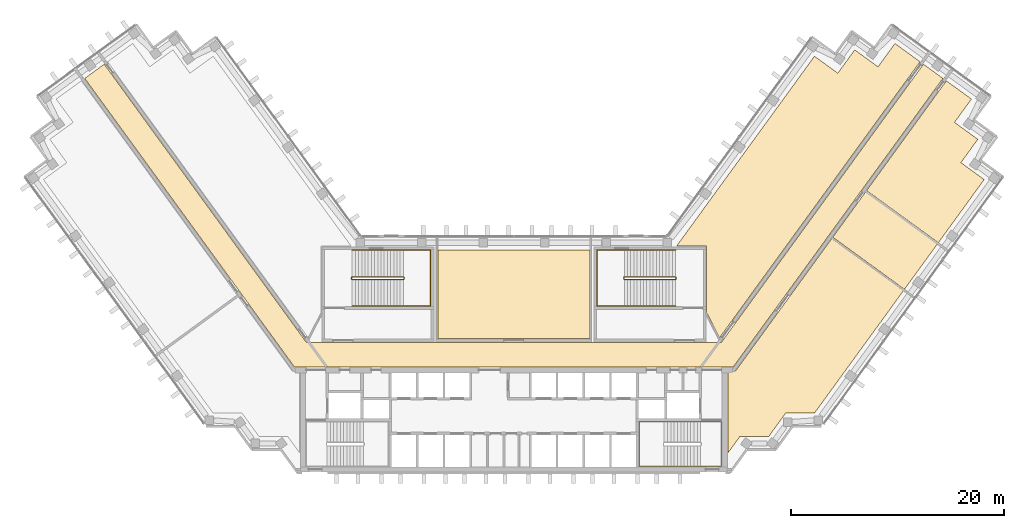
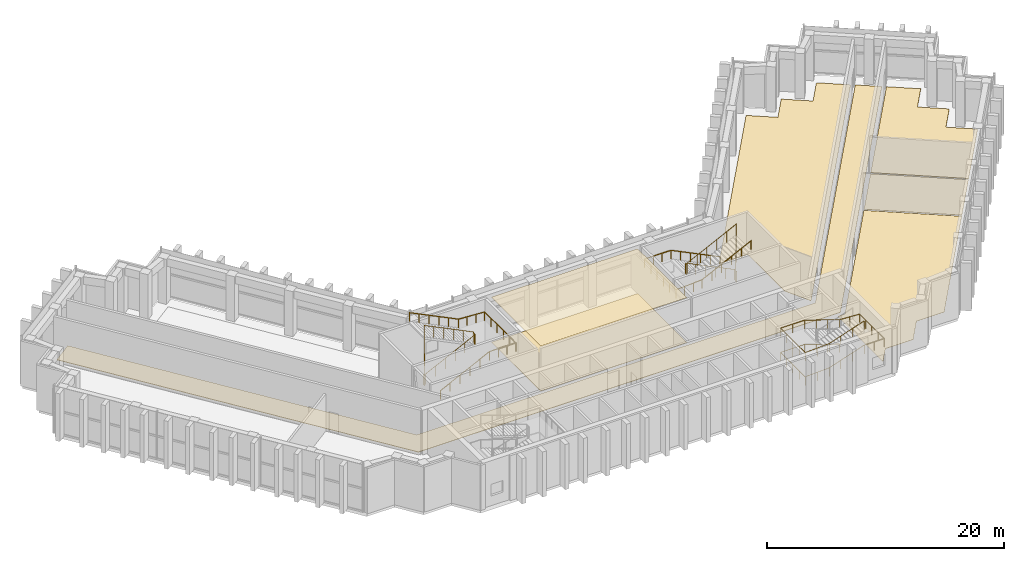
# One storey, part 14 of 14: 7 coverings, 5 railings.
"""IFC4 building model written with IfcOpenShell, lengths in metres."""

from ifc_helpers import new_model, si_unit, direction, frame, origin, origin_2d, place, context, subcontext, project, spatial, polyline, circle, outline, extrude, material, layer, layer_set, type_object, element, save


model = new_model("IFC4")

# Units and contexts
model_context = context("Model", 3, precision=1e-05, world=origin(), true_north=direction((0.0, 1.0)))
body_context = subcontext(model_context, "Body", "Model", "MODEL_VIEW")
ifc_project = project(units=[si_unit("LENGTHUNIT", "METRE"), si_unit("AREAUNIT", "SQUARE_METRE"), si_unit("VOLUMEUNIT", "CUBIC_METRE"), si_unit("PLANEANGLEUNIT", "RADIAN"), si_unit("MASSUNIT", "GRAM", prefix="KILO")], contexts=[model_context])

# Site, building, storey
site_placement = place(None, origin())
site = spatial("IfcSite", under=ifc_project, at=site_placement, CompositionType="ELEMENT")
building_placement = place(site_placement, origin())
building = spatial("IfcBuilding", under=site, at=building_placement, Name="Quipu Civic Tower", CompositionType="ELEMENT")
storey_placement = place(building_placement, frame((0.0, 0.0, 139.0)))
storey = spatial("IfcBuildingStorey", under=building, at=storey_placement, Name="L32", CompositionType="ELEMENT", Elevation=139.0)

# Coverings
ifc_material_1 = material(Name="Carpet tile on raised access floor")
ifc_layer_1 = layer(ifc_material_1, 0.02001953125)
ifc_layer_set_1 = layer_set([ifc_layer_1], Name="Carpet tile on raised access floor")
covering_type_1 = type_object("IfcCoveringType", Name="Carpet tile floor finish 20", PredefinedType="FLOORING", material=ifc_layer_set_1)
covering_1_placement = place(storey_placement, origin())
element("IfcCovering", 1, at=covering_1_placement, inside=storey, type_object=covering_type_1, Name="Carpet tile floor finish 20", PredefinedType="FLOORING", context=body_context, shape_type="SweptSolid", body=[
    extrude(outline(polyline([(15.238037109375, 10.169921875), (28.169921875, 27.968994140625), (30.35400390625, 26.383056640625), (31.94091796875, 28.56591796875), (34.126953125, 26.97998046875), (35.712890625, 29.1640625), (38.06689453125, 27.4541015625), (19.27197265625, 1.583984375), (18.070068359375, 3.94189453125), (18.070068359375, 10.1689453125), (15.238037109375, 10.169921875)])), origin(), (0.0, 0.0, 1.0), 0.02001953125),
])
covering_2_placement = place(storey_placement, origin())
element("IfcCovering", 2, at=covering_2_placement, inside=storey, type_object=covering_type_1, Name="Carpet tile floor finish 20", PredefinedType="FLOORING", context=body_context, shape_type="SweptSolid", body=[
    extrude(outline(polyline([(20.070068359375, -9.195068359375), (20.070068359375, -1.52001953125), (20.77490234375, -1.51904296875), (29.7958984375, 10.89794921875), (36.52001953125, 6.013916015625), (28.181884765625, -5.4609375), (25.48193359375, -5.4619140625), (23.89501953125, -7.64599609375), (21.196044921875, -7.64599609375), (20.070068359375, -9.195068359375)])), origin(), (0.0, 0.0, 1.0), 0.02001953125),
])
covering_3_placement = place(storey_placement, origin())
element("IfcCovering", 3, at=covering_3_placement, inside=storey, type_object=covering_type_1, Name="Carpet tile floor finish 20", PredefinedType="FLOORING", context=body_context, shape_type="SweptSolid", body=[
    extrude(outline(polyline([(-7.1279296875, 1.52001953125), (-7.1279296875, 9.830078125), (7.1279296875, 9.830078125), (7.1279296875, 1.52001953125), (-7.1279296875, 1.52001953125)])), origin(), (0.0, 0.0, 1.0), 0.02001953125),
])
ifc_material_2 = material(Name="Ceramic floor tile")
ifc_layer_2 = layer(ifc_material_2, 0.030029296875)
ifc_layer_set_2 = layer_set([ifc_layer_2], Name="Ceramic floor tile")
covering_type_2 = type_object("IfcCoveringType", Name="Ceramic tile floor finish 30", PredefinedType="FLOORING", material=ifc_layer_set_2)
covering_4_placement = place(storey_placement, origin())
element("IfcCovering", 4, at=covering_4_placement, inside=storey, type_object=covering_type_2, Name="Ceramic tile floor finish 30", PredefinedType="FLOORING", context=body_context, shape_type="SweptSolid", body=[
    extrude(outline(polyline([(29.87890625, 11.010986328125), (32.969970703125, 15.26708984375), (39.694091796875, 10.383056640625), (36.60302734375, 6.126953125), (29.87890625, 11.010986328125)])), origin(), (0.0, 0.0, 1.0), 0.030029296875),
])
ifc_material_3 = material(Name="Gypsum plasterboard ceiling")
ifc_layer_3 = layer(ifc_material_3, 0.014892578125)
ifc_layer_set_3 = layer_set([ifc_layer_3], Name="Gypsum plasterboard ceiling")
covering_type_3 = type_object("IfcCoveringType", Name="Plasterboard ceiling 15", PredefinedType="CEILING", material=ifc_layer_set_3)
covering_5_placement = place(storey_placement, frame((0.0, 0.0, 4.635009765625)))
element("IfcCovering", 5, at=covering_5_placement, inside=storey, type_object=covering_type_3, Name="Plasterboard ceiling 15", PredefinedType="CEILING", context=body_context, shape_type="SweptSolid", body=[
    extrude(outline(polyline([(-7.1279296875, 1.52001953125), (-7.1279296875, 9.830078125), (7.1279296875, 9.830078125), (7.1279296875, 1.52001953125), (-7.1279296875, 1.52001953125)])), origin(), (0.0, 0.0, 1.0), 0.014892578125),
])
ifc_material_4 = material(Name="Sealed cement screed")
ifc_layer_4 = layer(ifc_material_4, 0.050048828125)
ifc_layer_set_4 = layer_set([ifc_layer_4], Name="Sealed cement screed")
covering_type_4 = type_object("IfcCoveringType", Name="Sealed screed floor finish 50", PredefinedType="FLOORING", material=ifc_layer_set_4)
covering_6_placement = place(storey_placement, origin())
element("IfcCovering", 6, at=covering_6_placement, inside=storey, type_object=covering_type_4, Name="Sealed screed floor finish 50", PredefinedType="FLOORING", context=body_context, shape_type="SweptSolid", body=[
    extrude(outline(polyline([(33.052978515625, 15.3798828125), (40.52587890625, 25.666015625), (42.881103515625, 23.9560546875), (41.294921875, 21.77197265625), (43.47802734375, 20.18505859375), (41.89208984375, 17.9990234375), (44.074951171875, 16.4140625), (39.777099609375, 10.49609375), (33.052978515625, 15.3798828125)])), origin(), (0.0, 0.0, 1.0), 0.050048828125),
])

# Railings
ifc_material_5 = material(Name="Stainless steel", Category="steel")
railing_type_1 = type_object("IfcRailingType", Name="Stair guard 1100", PredefinedType="GUARDRAIL", material=ifc_material_5)
railing_1_placement = place(storey_placement, frame((-15.14990234375, 7.050048828125, 0.14697265625)))
element("IfcRailing", 7, at=railing_1_placement, inside=storey, type_object=railing_type_1, Name="Stair 3 guard", PredefinedType="GUARDRAIL", context=body_context, shape_type="SweptSolid", body=[
    extrude(circle(Radius=0.02392578125, at=origin_2d()), frame((0.0, 0.0, 1.076171875), z_axis=(0.897907272774, 0.0, 0.440184653866), x_axis=(0.0, 1.0, 0.0)), (0.0, 0.0, 1.0), 5.345458984375),
    extrude(circle(Radius=0.02392578125, at=origin_2d()), frame((4.7998046875, 0.0, 3.42919921875), z_axis=(0.707106781187, 0.707106781187, 0.0), x_axis=(-0.707106781187, 0.707106781187, 0.0)), (0.0, 0.0, 1.0), 0.07080078125),
    extrude(circle(Radius=0.02392578125, at=origin_2d()), frame((4.849853515625, 0.050048828125, 3.42919921875), z_axis=(0.0, 1.0, 0.0), x_axis=(-1.0, 0.0, 0.0)), (0.0, 0.0, 1.0), 0.14990234375),
    extrude(circle(Radius=0.02392578125, at=origin_2d()), frame((4.849853515625, 0.199951171875, 3.42919921875), z_axis=(-0.306807167972, 0.306807167972, 0.900965439605), x_axis=(-0.707106781187, -0.707106781187, 0.0)), (0.0, 0.0, 1.0), 0.1630859375),
    extrude(circle(Radius=0.02392578125, at=origin_2d()), frame((4.7998046875, 0.25, 3.576171875), z_axis=(-0.897907272774, 0.0, 0.440184653866), x_axis=(0.0, -1.0, 0.0)), (0.0, 0.0, 1.0), 5.345458984375),
    extrude(circle(Radius=0.02392578125, at=origin_2d()), frame((0.0, 0.25, 5.92919921875), z_axis=(-0.010001271081, -0.039956297636, -0.999151374345), x_axis=(0.970072785993, -0.242814311512, 0.0)), (0.0, 0.0, 1.0), 5.004150390625),
    extrude(circle(Radius=0.02392578125, at=origin_2d()), frame((-0.050048828125, 0.050048828125, 0.92919921875), z_axis=(0.0, 1.0, 0.0), x_axis=(-1.0, 0.0, 0.0)), (0.0, 0.0, 1.0), 0.14990234375),
    extrude(circle(Radius=0.02099609375, at=origin_2d()), origin(), (0.0, 0.0, 1.0), 1.052001953125),
    extrude(circle(Radius=0.02099609375, at=origin_2d()), frame((0.9599609375, 0.0, 0.470703125)), (0.0, 0.0, 1.0), 1.052001953125),
    extrude(circle(Radius=0.02099609375, at=origin_2d()), frame((1.919921875, 0.0, 0.941162109375)), (0.0, 0.0, 1.0), 1.052001953125),
    extrude(circle(Radius=0.02099609375, at=origin_2d()), frame((2.8798828125, 0.0, 1.411865234375)), (0.0, 0.0, 1.0), 1.052001953125),
    extrude(circle(Radius=0.02099609375, at=origin_2d()), frame((3.83984375, 0.0, 1.88232421875)), (0.0, 0.0, 1.0), 1.052001953125),
    extrude(circle(Radius=0.02099609375, at=origin_2d()), frame((4.7998046875, 0.0, 2.35302734375)), (0.0, 0.0, 1.0), 1.052001953125),
    extrude(circle(Radius=0.02099609375, at=origin_2d()), frame((4.849853515625, 0.050048828125, 2.35302734375)), (0.0, 0.0, 1.0), 1.052001953125),
    extrude(circle(Radius=0.02099609375, at=origin_2d()), frame((4.849853515625, 0.199951171875, 2.35302734375)), (0.0, 0.0, 1.0), 1.052001953125),
    extrude(circle(Radius=0.02099609375, at=origin_2d()), frame((4.7998046875, 0.25, 2.5)), (0.0, 0.0, 1.0), 1.052001953125),
    extrude(circle(Radius=0.02099609375, at=origin_2d()), frame((3.83984375, 0.25, 2.970703125)), (0.0, 0.0, 1.0), 1.052001953125),
    extrude(circle(Radius=0.02099609375, at=origin_2d()), frame((2.8798828125, 0.25, 3.441162109375)), (0.0, 0.0, 1.0), 1.052001953125),
    extrude(circle(Radius=0.02099609375, at=origin_2d()), frame((1.919921875, 0.25, 3.911865234375)), (0.0, 0.0, 1.0), 1.052001953125),
    extrude(circle(Radius=0.02099609375, at=origin_2d()), frame((0.9599609375, 0.25, 4.38232421875)), (0.0, 0.0, 1.0), 1.052001953125),
    extrude(circle(Radius=0.02099609375, at=origin_2d()), frame((0.0, 0.25, 4.85302734375)), (0.0, 0.0, 1.0), 1.052001953125),
    extrude(circle(Radius=0.02099609375, at=origin_2d()), frame((-0.010009765625, 0.2099609375, 3.85302734375)), (0.0, 0.0, 1.0), 1.052001953125),
    extrude(circle(Radius=0.02099609375, at=origin_2d()), frame((-0.02001953125, 0.169921875, 2.85302734375)), (0.0, 0.0, 1.0), 1.052001953125),
    extrude(circle(Radius=0.02099609375, at=origin_2d()), frame((-0.030029296875, 0.130126953125, 1.85302734375)), (0.0, 0.0, 1.0), 1.052001953125),
    extrude(circle(Radius=0.02099609375, at=origin_2d()), frame((-0.0400390625, 0.090087890625, 0.85302734375)), (0.0, 0.0, 1.0), 1.052001953125),
    extrude(circle(Radius=0.02099609375, at=origin_2d()), frame((-0.050048828125, 0.050048828125, -0.14697265625)), (0.0, 0.0, 1.0), 1.052001953125),
    extrude(circle(Radius=0.02099609375, at=origin_2d()), frame((-0.050048828125, 0.199951171875, -0.14697265625)), (0.0, 0.0, 1.0), 1.052001953125),
])
railing_2_placement = place(storey_placement, frame((15.14990234375, 7.300048828125, 0.14697265625)))
element("IfcRailing", 8, at=railing_2_placement, inside=storey, type_object=railing_type_1, Name="Stair 4 guard", PredefinedType="GUARDRAIL", context=body_context, shape_type="SweptSolid", body=[
    extrude(circle(Radius=0.02392578125, at=origin_2d()), frame((0.0, 0.0, 1.076171875), z_axis=(-0.897907272774, 0.0, 0.440184653866), x_axis=(0.0, -1.0, 0.0)), (0.0, 0.0, 1.0), 5.345458984375),
    extrude(circle(Radius=0.02392578125, at=origin_2d()), frame((-4.7998046875, 0.0, 3.42919921875), z_axis=(-0.707106781187, -0.707106781187, 0.0), x_axis=(0.707106781187, -0.707106781187, 0.0)), (0.0, 0.0, 1.0), 0.07080078125),
    extrude(circle(Radius=0.02392578125, at=origin_2d()), frame((-4.849853515625, -0.050048828125, 3.42919921875), z_axis=(0.0, -1.0, 0.0), x_axis=(1.0, 0.0, 0.0)), (0.0, 0.0, 1.0), 0.14990234375),
    extrude(circle(Radius=0.02392578125, at=origin_2d()), frame((-4.849853515625, -0.199951171875, 3.42919921875), z_axis=(0.306807167972, -0.306807167972, 0.900965439605), x_axis=(0.707106781187, 0.707106781187, 0.0)), (0.0, 0.0, 1.0), 0.1630859375),
    extrude(circle(Radius=0.02392578125, at=origin_2d()), frame((-4.7998046875, -0.25, 3.576171875), z_axis=(0.897907272774, 0.0, 0.440184653866), x_axis=(0.0, 1.0, 0.0)), (0.0, 0.0, 1.0), 5.345458984375),
    extrude(circle(Radius=0.02392578125, at=origin_2d()), frame((0.0, -0.25, 5.92919921875), z_axis=(0.010001271081, 0.039956297636, -0.999151374345), x_axis=(-0.970072785993, 0.242814311512, 0.0)), (0.0, 0.0, 1.0), 5.004150390625),
    extrude(circle(Radius=0.02392578125, at=origin_2d()), frame((0.050048828125, -0.050048828125, 0.92919921875), z_axis=(0.0, -1.0, 0.0), x_axis=(1.0, 0.0, 0.0)), (0.0, 0.0, 1.0), 0.14990234375),
    extrude(circle(Radius=0.02099609375, at=origin_2d()), origin(), (0.0, 0.0, 1.0), 1.052001953125),
    extrude(circle(Radius=0.02099609375, at=origin_2d()), frame((-0.9599609375, 0.0, 0.470703125)), (0.0, 0.0, 1.0), 1.052001953125),
    extrude(circle(Radius=0.02099609375, at=origin_2d()), frame((-1.919921875, 0.0, 0.941162109375)), (0.0, 0.0, 1.0), 1.052001953125),
    extrude(circle(Radius=0.02099609375, at=origin_2d()), frame((-2.8798828125, 0.0, 1.411865234375)), (0.0, 0.0, 1.0), 1.052001953125),
    extrude(circle(Radius=0.02099609375, at=origin_2d()), frame((-3.83984375, 0.0, 1.88232421875)), (0.0, 0.0, 1.0), 1.052001953125),
    extrude(circle(Radius=0.02099609375, at=origin_2d()), frame((-4.7998046875, 0.0, 2.35302734375)), (0.0, 0.0, 1.0), 1.052001953125),
    extrude(circle(Radius=0.02099609375, at=origin_2d()), frame((-4.849853515625, -0.050048828125, 2.35302734375)), (0.0, 0.0, 1.0), 1.052001953125),
    extrude(circle(Radius=0.02099609375, at=origin_2d()), frame((-4.849853515625, -0.199951171875, 2.35302734375)), (0.0, 0.0, 1.0), 1.052001953125),
    extrude(circle(Radius=0.02099609375, at=origin_2d()), frame((-4.7998046875, -0.25, 2.5)), (0.0, 0.0, 1.0), 1.052001953125),
    extrude(circle(Radius=0.02099609375, at=origin_2d()), frame((-3.83984375, -0.25, 2.970703125)), (0.0, 0.0, 1.0), 1.052001953125),
    extrude(circle(Radius=0.02099609375, at=origin_2d()), frame((-2.8798828125, -0.25, 3.441162109375)), (0.0, 0.0, 1.0), 1.052001953125),
    extrude(circle(Radius=0.02099609375, at=origin_2d()), frame((-1.919921875, -0.25, 3.911865234375)), (0.0, 0.0, 1.0), 1.052001953125),
    extrude(circle(Radius=0.02099609375, at=origin_2d()), frame((-0.9599609375, -0.25, 4.38232421875)), (0.0, 0.0, 1.0), 1.052001953125),
    extrude(circle(Radius=0.02099609375, at=origin_2d()), frame((0.0, -0.25, 4.85302734375)), (0.0, 0.0, 1.0), 1.052001953125),
    extrude(circle(Radius=0.02099609375, at=origin_2d()), frame((0.010009765625, -0.2099609375, 3.85302734375)), (0.0, 0.0, 1.0), 1.052001953125),
    extrude(circle(Radius=0.02099609375, at=origin_2d()), frame((0.02001953125, -0.169921875, 2.85302734375)), (0.0, 0.0, 1.0), 1.052001953125),
    extrude(circle(Radius=0.02099609375, at=origin_2d()), frame((0.030029296875, -0.130126953125, 1.85302734375)), (0.0, 0.0, 1.0), 1.052001953125),
    extrude(circle(Radius=0.02099609375, at=origin_2d()), frame((0.0400390625, -0.090087890625, 0.85302734375)), (0.0, 0.0, 1.0), 1.052001953125),
    extrude(circle(Radius=0.02099609375, at=origin_2d()), frame((0.050048828125, -0.050048828125, -0.14697265625)), (0.0, 0.0, 1.0), 1.052001953125),
    extrude(circle(Radius=0.02099609375, at=origin_2d()), frame((0.050048828125, -0.199951171875, -0.14697265625)), (0.0, 0.0, 1.0), 1.052001953125),
])
ifc_material_6 = material(Name="Stainless steel", Category="steel")
railing_type_2 = type_object("IfcRailingType", Name="Stair handrail", PredefinedType="HANDRAIL", material=ifc_material_6)
railing_3_placement = place(storey_placement, frame((17.5, -6.300048828125, 0.104248046875)))
element("IfcRailing", 9, at=railing_3_placement, inside=storey, type_object=railing_type_2, Name="Stair 2 handrail", PredefinedType="HANDRAIL", context=body_context, shape_type="SweptSolid", body=[
    extrude(circle(Radius=0.02392578125, at=origin_2d()), frame((0.0, 0.0, 0.8759765625), z_axis=(-0.947920429252, 0.0, 0.318507236663), x_axis=(0.0, -1.0, 0.0)), (0.0, 0.0, 1.0), 3.59716796875),
    extrude(circle(Radius=0.02392578125, at=origin_2d()), frame((-3.409912109375, 0.0, 2.021484375), z_axis=(-1.0, 0.0, 0.0), x_axis=(0.0, -1.0, 0.0)), (0.0, 0.0, 1.0), 2.340087890625),
    extrude(circle(Radius=0.02392578125, at=origin_2d()), frame((-5.75, 0.0, 2.021484375), z_axis=(0.0, -1.0, 0.0), x_axis=(1.0, 0.0, 0.0)), (0.0, 0.0, 1.0), 4.14990234375),
    extrude(circle(Radius=0.02392578125, at=origin_2d()), frame((-5.75, -4.14990234375, 2.021484375), z_axis=(0.999009177902, 0.0, 0.044504634216), x_axis=(0.0, 1.0, 0.0)), (0.0, 0.0, 1.0), 2.342529296875),
    extrude(circle(Radius=0.02392578125, at=origin_2d()), frame((-3.409912109375, -4.14990234375, 2.1259765625), z_axis=(0.947920429252, 0.0, 0.318507236663), x_axis=(0.0, 1.0, 0.0)), (0.0, 0.0, 1.0), 3.59716796875),
    extrude(circle(Radius=0.02392578125, at=origin_2d()), frame((0.0, -4.14990234375, 3.271484375), z_axis=(1.0, 0.0, 0.0), x_axis=(0.0, 1.0, 0.0)), (0.0, 0.0, 1.0), 1.949951171875),
    extrude(circle(Radius=0.02392578125, at=origin_2d()), frame((1.949951171875, -4.14990234375, 3.271484375), z_axis=(0.0, 1.0, 0.0), x_axis=(-1.0, 0.0, 0.0)), (0.0, 0.0, 1.0), 4.14990234375),
    extrude(circle(Radius=0.02392578125, at=origin_2d()), frame((1.949951171875, 0.0, 3.271484375), z_axis=(-0.998573970084, 0.0, 0.053385637314), x_axis=(0.0, -1.0, 0.0)), (0.0, 0.0, 1.0), 1.95263671875),
    extrude(circle(Radius=0.02392578125, at=origin_2d()), frame((0.0, 0.0, 3.3759765625), z_axis=(-0.947920429252, 0.0, 0.318507236663), x_axis=(0.0, -1.0, 0.0)), (0.0, 0.0, 1.0), 3.59716796875),
    extrude(circle(Radius=0.02392578125, at=origin_2d()), frame((-3.409912109375, 0.0, 4.521484375), z_axis=(-1.0, 0.0, 0.0), x_axis=(0.0, -1.0, 0.0)), (0.0, 0.0, 1.0), 2.340087890625),
    extrude(circle(Radius=0.02392578125, at=origin_2d()), frame((-5.75, 0.0, 4.521484375), z_axis=(0.0, -1.0, 0.0), x_axis=(1.0, 0.0, 0.0)), (0.0, 0.0, 1.0), 4.14990234375),
    extrude(circle(Radius=0.02392578125, at=origin_2d()), frame((-5.75, -4.14990234375, 4.521484375), z_axis=(0.999009177902, 0.0, 0.044504634216), x_axis=(0.0, 1.0, 0.0)), (0.0, 0.0, 1.0), 2.342529296875),
    extrude(circle(Radius=0.02392578125, at=origin_2d()), frame((-3.409912109375, -4.14990234375, 4.6259765625), z_axis=(0.947920429252, 0.0, 0.318507236663), x_axis=(0.0, 1.0, 0.0)), (0.0, 0.0, 1.0), 3.59716796875),
    extrude(circle(Radius=0.02099609375, at=origin_2d()), origin(), (0.0, 0.0, 1.0), 0.851806640625),
    extrude(circle(Radius=0.02099609375, at=origin_2d()), frame((-1.13671875, 0.0, 0.3818359375)), (0.0, 0.0, 1.0), 0.851806640625),
    extrude(circle(Radius=0.02099609375, at=origin_2d()), frame((-2.273193359375, 0.0, 0.763916015625)), (0.0, 0.0, 1.0), 0.851806640625),
    extrude(circle(Radius=0.02099609375, at=origin_2d()), frame((-3.409912109375, 0.0, 1.145751953125)), (0.0, 0.0, 1.0), 0.851806640625),
    extrude(circle(Radius=0.02099609375, at=origin_2d()), frame((-4.580078125, 0.0, 1.145751953125)), (0.0, 0.0, 1.0), 0.851806640625),
    extrude(circle(Radius=0.02099609375, at=origin_2d()), frame((-5.75, 0.0, 1.145751953125)), (0.0, 0.0, 1.0), 0.851806640625),
    extrude(circle(Radius=0.02099609375, at=origin_2d()), frame((-5.75, -1.03759765625, 1.145751953125)), (0.0, 0.0, 1.0), 0.851806640625),
    extrude(circle(Radius=0.02099609375, at=origin_2d()), frame((-5.75, -2.074951171875, 1.145751953125)), (0.0, 0.0, 1.0), 0.851806640625),
    extrude(circle(Radius=0.02099609375, at=origin_2d()), frame((-5.75, -3.1123046875, 1.145751953125)), (0.0, 0.0, 1.0), 0.851806640625),
    extrude(circle(Radius=0.02099609375, at=origin_2d()), frame((-5.75, -4.14990234375, 1.145751953125)), (0.0, 0.0, 1.0), 0.851806640625),
    extrude(circle(Radius=0.02099609375, at=origin_2d()), frame((-4.580078125, -4.14990234375, 1.19775390625)), (0.0, 0.0, 1.0), 0.851806640625),
    extrude(circle(Radius=0.02099609375, at=origin_2d()), frame((-3.409912109375, -4.14990234375, 1.25)), (0.0, 0.0, 1.0), 0.851806640625),
    extrude(circle(Radius=0.02099609375, at=origin_2d()), frame((-2.273193359375, -4.14990234375, 1.6318359375)), (0.0, 0.0, 1.0), 0.851806640625),
    extrude(circle(Radius=0.02099609375, at=origin_2d()), frame((-1.13671875, -4.14990234375, 2.013916015625)), (0.0, 0.0, 1.0), 0.851806640625),
    extrude(circle(Radius=0.02099609375, at=origin_2d()), frame((0.0, -4.14990234375, 2.395751953125)), (0.0, 0.0, 1.0), 0.851806640625),
    extrude(circle(Radius=0.02099609375, at=origin_2d()), frame((0.97509765625, -4.14990234375, 2.395751953125)), (0.0, 0.0, 1.0), 0.851806640625),
    extrude(circle(Radius=0.02099609375, at=origin_2d()), frame((1.949951171875, -4.14990234375, 2.395751953125)), (0.0, 0.0, 1.0), 0.851806640625),
    extrude(circle(Radius=0.02099609375, at=origin_2d()), frame((1.949951171875, -3.1123046875, 2.395751953125)), (0.0, 0.0, 1.0), 0.851806640625),
    extrude(circle(Radius=0.02099609375, at=origin_2d()), frame((1.949951171875, -2.074951171875, 2.395751953125)), (0.0, 0.0, 1.0), 0.851806640625),
    extrude(circle(Radius=0.02099609375, at=origin_2d()), frame((1.949951171875, -1.03759765625, 2.395751953125)), (0.0, 0.0, 1.0), 0.851806640625),
    extrude(circle(Radius=0.02099609375, at=origin_2d()), frame((1.949951171875, 0.0, 2.395751953125)), (0.0, 0.0, 1.0), 0.851806640625),
    extrude(circle(Radius=0.02099609375, at=origin_2d()), frame((0.97509765625, 0.0, 2.44775390625)), (0.0, 0.0, 1.0), 0.851806640625),
    extrude(circle(Radius=0.02099609375, at=origin_2d()), frame((0.0, 0.0, 2.5)), (0.0, 0.0, 1.0), 0.851806640625),
    extrude(circle(Radius=0.02099609375, at=origin_2d()), frame((-1.13671875, 0.0, 2.8818359375)), (0.0, 0.0, 1.0), 0.851806640625),
    extrude(circle(Radius=0.02099609375, at=origin_2d()), frame((-2.273193359375, 0.0, 3.263916015625)), (0.0, 0.0, 1.0), 0.851806640625),
    extrude(circle(Radius=0.02099609375, at=origin_2d()), frame((-3.409912109375, 0.0, 3.645751953125)), (0.0, 0.0, 1.0), 0.851806640625),
    extrude(circle(Radius=0.02099609375, at=origin_2d()), frame((-4.580078125, 0.0, 3.645751953125)), (0.0, 0.0, 1.0), 0.851806640625),
    extrude(circle(Radius=0.02099609375, at=origin_2d()), frame((-5.75, 0.0, 3.645751953125)), (0.0, 0.0, 1.0), 0.851806640625),
    extrude(circle(Radius=0.02099609375, at=origin_2d()), frame((-5.75, -1.03759765625, 3.645751953125)), (0.0, 0.0, 1.0), 0.851806640625),
    extrude(circle(Radius=0.02099609375, at=origin_2d()), frame((-5.75, -2.074951171875, 3.645751953125)), (0.0, 0.0, 1.0), 0.851806640625),
    extrude(circle(Radius=0.02099609375, at=origin_2d()), frame((-5.75, -3.1123046875, 3.645751953125)), (0.0, 0.0, 1.0), 0.851806640625),
    extrude(circle(Radius=0.02099609375, at=origin_2d()), frame((-5.75, -4.14990234375, 3.645751953125)), (0.0, 0.0, 1.0), 0.851806640625),
    extrude(circle(Radius=0.02099609375, at=origin_2d()), frame((-4.580078125, -4.14990234375, 3.69775390625)), (0.0, 0.0, 1.0), 0.851806640625),
    extrude(circle(Radius=0.02099609375, at=origin_2d()), frame((-3.409912109375, -4.14990234375, 3.75)), (0.0, 0.0, 1.0), 0.851806640625),
    extrude(circle(Radius=0.02099609375, at=origin_2d()), frame((-2.273193359375, -4.14990234375, 4.1318359375)), (0.0, 0.0, 1.0), 0.851806640625),
    extrude(circle(Radius=0.02099609375, at=origin_2d()), frame((-1.13671875, -4.14990234375, 4.513916015625)), (0.0, 0.0, 1.0), 0.851806640625),
    extrude(circle(Radius=0.02099609375, at=origin_2d()), frame((0.0, -4.14990234375, 4.895751953125)), (0.0, 0.0, 1.0), 0.851806640625),
])
railing_4_placement = place(storey_placement, frame((-15.14990234375, 4.550048828125, 0.14697265625)))
element("IfcRailing", 10, at=railing_4_placement, inside=storey, type_object=railing_type_2, Name="Stair 3 handrail", PredefinedType="HANDRAIL", context=body_context, shape_type="SweptSolid", body=[
    extrude(circle(Radius=0.02392578125, at=origin_2d()), frame((0.0, 0.0, 0.8759765625), z_axis=(0.897907272774, 0.0, 0.440184653866), x_axis=(0.0, 1.0, 0.0)), (0.0, 0.0, 1.0), 5.345458984375),
    extrude(circle(Radius=0.02392578125, at=origin_2d()), frame((4.7998046875, 0.0, 3.22900390625), z_axis=(1.0, 0.0, 0.0), x_axis=(0.0, 1.0, 0.0)), (0.0, 0.0, 1.0), 2.550048828125),
    extrude(circle(Radius=0.02392578125, at=origin_2d()), frame((7.349853515625, 0.0, 3.22900390625), z_axis=(0.0, 1.0, 0.0), x_axis=(-1.0, 0.0, 0.0)), (0.0, 0.0, 1.0), 5.25),
    extrude(circle(Radius=0.02392578125, at=origin_2d()), frame((7.349853515625, 5.25, 3.22900390625), z_axis=(-0.998343216518, 0.0, 0.057539743068), x_axis=(0.0, -1.0, 0.0)), (0.0, 0.0, 1.0), 2.55419921875),
    extrude(circle(Radius=0.02392578125, at=origin_2d()), frame((4.7998046875, 5.25, 3.3759765625), z_axis=(-0.897907272774, 0.0, 0.440184653866), x_axis=(0.0, -1.0, 0.0)), (0.0, 0.0, 1.0), 5.345458984375),
    extrude(circle(Radius=0.02099609375, at=origin_2d()), origin(), (0.0, 0.0, 1.0), 0.851806640625),
    extrude(circle(Radius=0.02099609375, at=origin_2d()), frame((0.9599609375, 0.0, 0.470703125)), (0.0, 0.0, 1.0), 0.851806640625),
    extrude(circle(Radius=0.02099609375, at=origin_2d()), frame((1.919921875, 0.0, 0.941162109375)), (0.0, 0.0, 1.0), 0.851806640625),
    extrude(circle(Radius=0.02099609375, at=origin_2d()), frame((2.8798828125, 0.0, 1.411865234375)), (0.0, 0.0, 1.0), 0.851806640625),
    extrude(circle(Radius=0.02099609375, at=origin_2d()), frame((3.83984375, 0.0, 1.88232421875)), (0.0, 0.0, 1.0), 0.851806640625),
    extrude(circle(Radius=0.02099609375, at=origin_2d()), frame((4.7998046875, 0.0, 2.35302734375)), (0.0, 0.0, 1.0), 0.851806640625),
    extrude(circle(Radius=0.02099609375, at=origin_2d()), frame((5.64990234375, 0.0, 2.35302734375)), (0.0, 0.0, 1.0), 0.851806640625),
    extrude(circle(Radius=0.02099609375, at=origin_2d()), frame((6.499755859375, 0.0, 2.35302734375)), (0.0, 0.0, 1.0), 0.851806640625),
    extrude(circle(Radius=0.02099609375, at=origin_2d()), frame((7.349853515625, 0.0, 2.35302734375)), (0.0, 0.0, 1.0), 0.851806640625),
    extrude(circle(Radius=0.02099609375, at=origin_2d()), frame((7.349853515625, 1.050048828125, 2.35302734375)), (0.0, 0.0, 1.0), 0.851806640625),
    extrude(circle(Radius=0.02099609375, at=origin_2d()), frame((7.349853515625, 2.10009765625, 2.35302734375)), (0.0, 0.0, 1.0), 0.851806640625),
    extrude(circle(Radius=0.02099609375, at=origin_2d()), frame((7.349853515625, 3.14990234375, 2.35302734375)), (0.0, 0.0, 1.0), 0.851806640625),
    extrude(circle(Radius=0.02099609375, at=origin_2d()), frame((7.349853515625, 4.199951171875, 2.35302734375)), (0.0, 0.0, 1.0), 0.851806640625),
    extrude(circle(Radius=0.02099609375, at=origin_2d()), frame((7.349853515625, 5.25, 2.35302734375)), (0.0, 0.0, 1.0), 0.851806640625),
    extrude(circle(Radius=0.02099609375, at=origin_2d()), frame((6.499755859375, 5.25, 2.402099609375)), (0.0, 0.0, 1.0), 0.851806640625),
    extrude(circle(Radius=0.02099609375, at=origin_2d()), frame((5.64990234375, 5.25, 2.450927734375)), (0.0, 0.0, 1.0), 0.851806640625),
    extrude(circle(Radius=0.02099609375, at=origin_2d()), frame((4.7998046875, 5.25, 2.5)), (0.0, 0.0, 1.0), 0.851806640625),
    extrude(circle(Radius=0.02099609375, at=origin_2d()), frame((3.83984375, 5.25, 2.970703125)), (0.0, 0.0, 1.0), 0.851806640625),
    extrude(circle(Radius=0.02099609375, at=origin_2d()), frame((2.8798828125, 5.25, 3.441162109375)), (0.0, 0.0, 1.0), 0.851806640625),
    extrude(circle(Radius=0.02099609375, at=origin_2d()), frame((1.919921875, 5.25, 3.911865234375)), (0.0, 0.0, 1.0), 0.851806640625),
    extrude(circle(Radius=0.02099609375, at=origin_2d()), frame((0.9599609375, 5.25, 4.38232421875)), (0.0, 0.0, 1.0), 0.851806640625),
    extrude(circle(Radius=0.02099609375, at=origin_2d()), frame((0.0, 5.25, 4.85302734375)), (0.0, 0.0, 1.0), 0.851806640625),
])
railing_5_placement = place(storey_placement, frame((15.14990234375, 9.800048828125, 0.14697265625)))
element("IfcRailing", 11, at=railing_5_placement, inside=storey, type_object=railing_type_2, Name="Stair 4 handrail", PredefinedType="HANDRAIL", context=body_context, shape_type="SweptSolid", body=[
    extrude(circle(Radius=0.02392578125, at=origin_2d()), frame((0.0, 0.0, 0.8759765625), z_axis=(-0.897907272774, 0.0, 0.440184653866), x_axis=(0.0, -1.0, 0.0)), (0.0, 0.0, 1.0), 5.345458984375),
    extrude(circle(Radius=0.02392578125, at=origin_2d()), frame((-4.7998046875, 0.0, 3.22900390625), z_axis=(-1.0, 0.0, 0.0), x_axis=(0.0, -1.0, 0.0)), (0.0, 0.0, 1.0), 2.550048828125),
    extrude(circle(Radius=0.02392578125, at=origin_2d()), frame((-7.349853515625, 0.0, 3.22900390625), z_axis=(0.0, -1.0, 0.0), x_axis=(1.0, 0.0, 0.0)), (0.0, 0.0, 1.0), 5.25),
    extrude(circle(Radius=0.02392578125, at=origin_2d()), frame((-7.349853515625, -5.25, 3.22900390625), z_axis=(0.998343216518, 0.0, 0.057539743068), x_axis=(0.0, 1.0, 0.0)), (0.0, 0.0, 1.0), 2.55419921875),
    extrude(circle(Radius=0.02392578125, at=origin_2d()), frame((-4.7998046875, -5.25, 3.3759765625), z_axis=(0.897907272774, 0.0, 0.440184653866), x_axis=(0.0, 1.0, 0.0)), (0.0, 0.0, 1.0), 5.345458984375),
    extrude(circle(Radius=0.02099609375, at=origin_2d()), origin(), (0.0, 0.0, 1.0), 0.851806640625),
    extrude(circle(Radius=0.02099609375, at=origin_2d()), frame((-0.9599609375, 0.0, 0.470703125)), (0.0, 0.0, 1.0), 0.851806640625),
    extrude(circle(Radius=0.02099609375, at=origin_2d()), frame((-1.919921875, 0.0, 0.941162109375)), (0.0, 0.0, 1.0), 0.851806640625),
    extrude(circle(Radius=0.02099609375, at=origin_2d()), frame((-2.8798828125, 0.0, 1.411865234375)), (0.0, 0.0, 1.0), 0.851806640625),
    extrude(circle(Radius=0.02099609375, at=origin_2d()), frame((-3.83984375, 0.0, 1.88232421875)), (0.0, 0.0, 1.0), 0.851806640625),
    extrude(circle(Radius=0.02099609375, at=origin_2d()), frame((-4.7998046875, 0.0, 2.35302734375)), (0.0, 0.0, 1.0), 0.851806640625),
    extrude(circle(Radius=0.02099609375, at=origin_2d()), frame((-5.64990234375, 0.0, 2.35302734375)), (0.0, 0.0, 1.0), 0.851806640625),
    extrude(circle(Radius=0.02099609375, at=origin_2d()), frame((-6.499755859375, 0.0, 2.35302734375)), (0.0, 0.0, 1.0), 0.851806640625),
    extrude(circle(Radius=0.02099609375, at=origin_2d()), frame((-7.349853515625, 0.0, 2.35302734375)), (0.0, 0.0, 1.0), 0.851806640625),
    extrude(circle(Radius=0.02099609375, at=origin_2d()), frame((-7.349853515625, -1.050048828125, 2.35302734375)), (0.0, 0.0, 1.0), 0.851806640625),
    extrude(circle(Radius=0.02099609375, at=origin_2d()), frame((-7.349853515625, -2.10009765625, 2.35302734375)), (0.0, 0.0, 1.0), 0.851806640625),
    extrude(circle(Radius=0.02099609375, at=origin_2d()), frame((-7.349853515625, -3.14990234375, 2.35302734375)), (0.0, 0.0, 1.0), 0.851806640625),
    extrude(circle(Radius=0.02099609375, at=origin_2d()), frame((-7.349853515625, -4.199951171875, 2.35302734375)), (0.0, 0.0, 1.0), 0.851806640625),
    extrude(circle(Radius=0.02099609375, at=origin_2d()), frame((-7.349853515625, -5.25, 2.35302734375)), (0.0, 0.0, 1.0), 0.851806640625),
    extrude(circle(Radius=0.02099609375, at=origin_2d()), frame((-6.499755859375, -5.25, 2.402099609375)), (0.0, 0.0, 1.0), 0.851806640625),
    extrude(circle(Radius=0.02099609375, at=origin_2d()), frame((-5.64990234375, -5.25, 2.450927734375)), (0.0, 0.0, 1.0), 0.851806640625),
    extrude(circle(Radius=0.02099609375, at=origin_2d()), frame((-4.7998046875, -5.25, 2.5)), (0.0, 0.0, 1.0), 0.851806640625),
    extrude(circle(Radius=0.02099609375, at=origin_2d()), frame((-3.83984375, -5.25, 2.970703125)), (0.0, 0.0, 1.0), 0.851806640625),
    extrude(circle(Radius=0.02099609375, at=origin_2d()), frame((-2.8798828125, -5.25, 3.441162109375)), (0.0, 0.0, 1.0), 0.851806640625),
    extrude(circle(Radius=0.02099609375, at=origin_2d()), frame((-1.919921875, -5.25, 3.911865234375)), (0.0, 0.0, 1.0), 0.851806640625),
    extrude(circle(Radius=0.02099609375, at=origin_2d()), frame((-0.9599609375, -5.25, 4.38232421875)), (0.0, 0.0, 1.0), 0.851806640625),
    extrude(circle(Radius=0.02099609375, at=origin_2d()), frame((0.0, -5.25, 4.85302734375)), (0.0, 0.0, 1.0), 0.851806640625),
])

# Covering
ifc_material_7 = material(Name="Terrazzo floor finish")
ifc_layer_5 = layer(ifc_material_7, 0.0400390625)
ifc_layer_set_5 = layer_set([ifc_layer_5], Name="Terrazzo floor finish")
covering_type_5 = type_object("IfcCoveringType", Name="Terrazzo floor finish 40", PredefinedType="FLOORING", material=ifc_layer_set_5)
covering_7_placement = place(storey_placement, origin())
element("IfcCovering", 12, at=covering_7_placement, inside=storey, type_object=covering_type_5, Name="Terrazzo floor finish 40", PredefinedType="FLOORING", context=body_context, shape_type="SweptSolid", body=[
    extrude(outline(polyline([(38.382080078125, 27.22412109375), (40.2109375, 25.89599609375), (20.574951171875, -1.1298828125), (-20.574951171875, -1.1298828125), (-40.2109375, 25.89599609375), (-38.382080078125, 27.22412109375), (-19.425048828125, 1.1298828125), (19.425048828125, 1.1298828125), (38.382080078125, 27.22412109375)])), origin(), (0.0, 0.0, 1.0), 0.0400390625),
])

save(model, "model.ifc")
